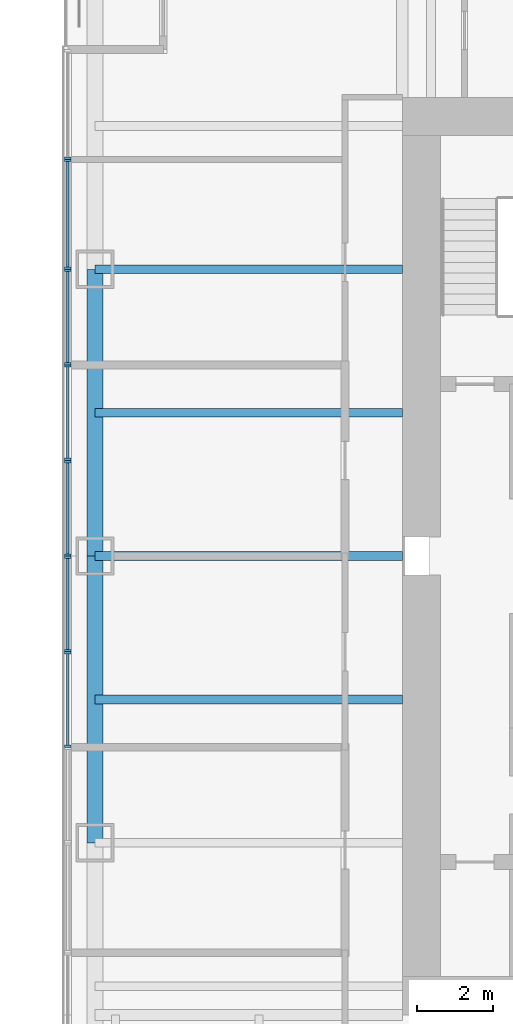
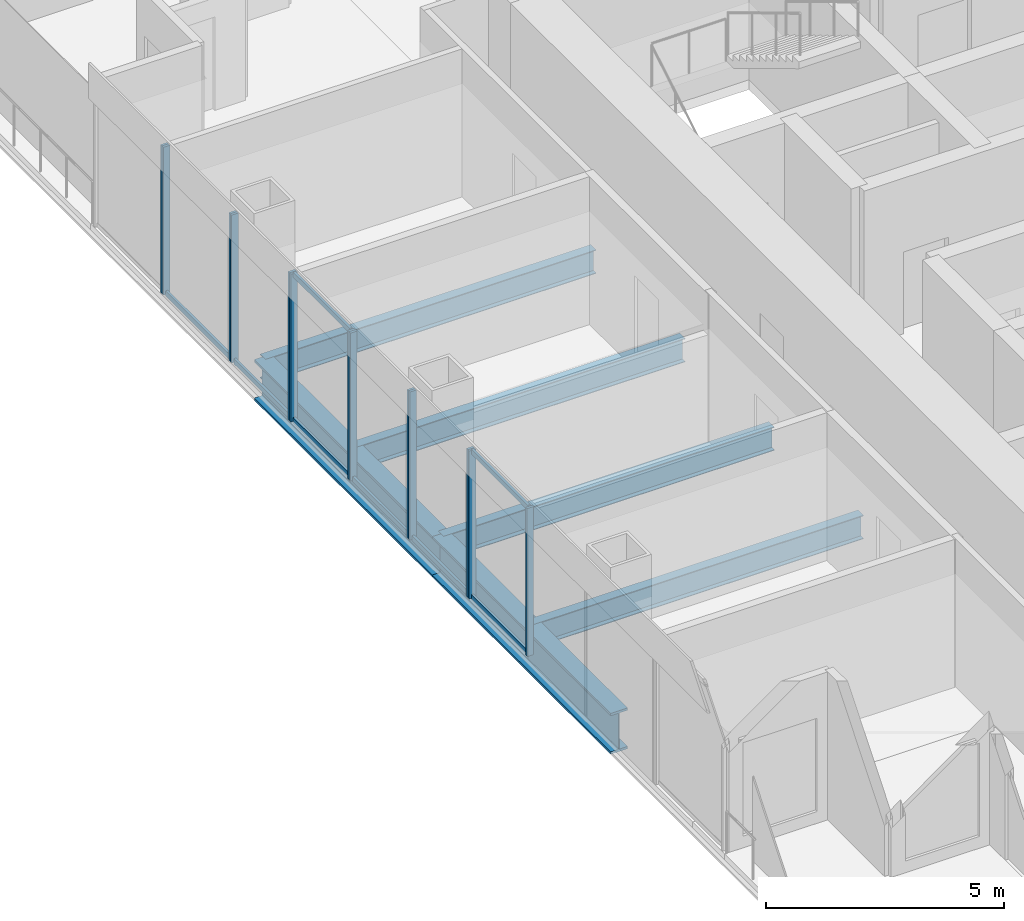
# One storey, part 4 of 15: 21 members, 6 beams, 7 elements without a shape of their own.
"""IFC4 building model written with IfcOpenShell, lengths in metres."""

from ifc_helpers import new_model, si_unit, direction, frame, origin, origin_2d, place, context, subcontext, project, spatial, rectangle, i_section, extrude, material, material_profile, profile_set, type_object, element, aggregate, save


model = new_model("IFC4")

# Units and contexts
model_context = context("Model", 3, precision=1e-05, world=origin(), true_north=direction((0.0, 1.0)))
body_context = subcontext(model_context, "Body", "Model", "MODEL_VIEW")
ifc_project = project(units=[si_unit("LENGTHUNIT", "METRE"), si_unit("AREAUNIT", "SQUARE_METRE"), si_unit("VOLUMEUNIT", "CUBIC_METRE"), si_unit("PLANEANGLEUNIT", "RADIAN"), si_unit("MASSUNIT", "GRAM", prefix="KILO")], contexts=[model_context])

# Site, building, storey
site_placement = place(None, origin())
site = spatial("IfcSite", under=ifc_project, at=site_placement, CompositionType="ELEMENT")
building_placement = place(site_placement, origin())
building = spatial("IfcBuilding", under=site, at=building_placement, Name="Tarangal Relay Tower", CompositionType="ELEMENT")
storey_placement = place(building_placement, frame((0.0, 0.0, 331.89990234375)))
storey = spatial("IfcBuildingStorey", under=building, at=storey_placement, Name="L74", CompositionType="ELEMENT", Elevation=331.89990234375)

# Beams
ifc_material_1 = material(Name="Steel ASTM A992", Category="steel")
ifc_material_profile_1 = material_profile(ifc_material_1, i_section(OverallWidth=0.41162109375, OverallDepth=1.049072265625, WebThickness=0.033935546875, FlangeThickness=0.059814453125, at=origin_2d()), Name="W40X431")
ifc_profile_set_1 = profile_set([ifc_material_profile_1], Name="Steel ASTM A992")
beam_type_1 = type_object("IfcBeamType", Name="Edge girder W40X431", PredefinedType="SPANDREL", material=ifc_profile_set_1)
for number, where, z_axis, x_axis, name in (
    (1, (-20.0400390625, -7.5, -0.67431640625), (0.0, 1.0, 0.0), (-1.0, 0.0, 0.0), "Edge girder EG1 W L74"),
    (2, (-20.0400390625, 0.0, -0.67431640625), (0.0, 1.0, 0.0), (-1.0, 0.0, 0.0), "Edge girder EG1 W L74"),
):
    element("IfcBeam", number, at=place(storey_placement, frame(where, z_axis=z_axis, x_axis=x_axis)), inside=storey, type_object=beam_type_1, Name=name, PredefinedType="SPANDREL", context=body_context, shape_type="SweptSolid", body=[
        extrude(i_section(OverallWidth=0.41162109375, OverallDepth=1.049072265625, WebThickness=0.033935546875, FlangeThickness=0.059814453125, at=origin_2d()), origin(), (0.0, 0.0, 1.0), 7.5),
    ])
ifc_material_profile_2 = material_profile(ifc_material_1, i_section(OverallWidth=0.228271484375, OverallDepth=0.607177734375, WebThickness=0.01123046875, FlangeThickness=0.017333984375, at=origin_2d()), Name="W24X76")
ifc_profile_set_2 = profile_set([ifc_material_profile_2], Name="Steel ASTM A992")
beam_type_2 = type_object("IfcBeamType", Name="Floor beam W24X76", PredefinedType="BEAM", material=ifc_profile_set_2)
for number, where, z_axis, x_axis, name in (
    (3, (-12.0, -3.75, -0.453369140625), (-1.0, 0.0, 0.0), (0.0, -1.0, 0.0), "Floor beam RB5 W L74"),
    (4, (-12.0, 0.0, -0.453369140625), (-1.0, 0.0, 0.0), (0.0, -1.0, 0.0), "Floor beam RB5 W L74"),
    (5, (-12.0, 3.75, -0.453369140625), (-1.0, 0.0, 0.0), (0.0, -1.0, 0.0), "Floor beam RB5 W L74"),
    (6, (-12.0, 7.5, -0.453369140625), (-1.0, 0.0, 0.0), (0.0, -1.0, 0.0), "Floor beam RB5 W L74"),
):
    element("IfcBeam", number, at=place(storey_placement, frame(where, z_axis=z_axis, x_axis=x_axis)), inside=storey, type_object=beam_type_2, Name=name, PredefinedType="BEAM", context=body_context, shape_type="SweptSolid", body=[
        extrude(i_section(OverallWidth=0.228271484375, OverallDepth=0.607177734375, WebThickness=0.01123046875, FlangeThickness=0.017333984375, at=origin_2d()), origin(), (0.0, 0.0, 1.0), 8.0400390625),
    ])

# Curtain wall, members
ifc_material_2 = material(Name="Unitised curtain wall, dark glass and black aluminium", Category="aluminium")
curtain_wall_type_1 = type_object("IfcCurtainWallType", Name="Curtain wall CW-B", PredefinedType="USERDEFINED", material=ifc_material_2)
curtain_wall_1_placement = place(storey_placement, origin())
curtain_wall_1 = element("IfcCurtainWall", 7, at=curtain_wall_1_placement, inside=storey, type_object=curtain_wall_type_1, Name="Curtain wall CW-B W facade L74", ObjectType="UNITISED CURTAIN WALL", PredefinedType="USERDEFINED")
ifc_material_3 = material(Name="Black anodised aluminium mullion", Category="aluminium")
ifc_material_profile_3 = material_profile(ifc_material_3, rectangle(XDim=0.159912109375, YDim=0.06005859375, at=origin_2d()), Name="CW-BM 60X160")
ifc_profile_set_3 = profile_set([ifc_material_profile_3], Name="Black anodised aluminium mullion")
member_type_1 = type_object("IfcMemberType", Name="Mullion CW-B 60 x 160", PredefinedType="MULLION", material=ifc_profile_set_3)
member_1_placement = place(storey_placement, frame((-20.75, -4.969970703125, 0.0), z_axis=(0.0, 0.0, 1.0), x_axis=(-1.0, 0.0, 0.0)))
member_1 = element("IfcMember", 8, at=member_1_placement, type_object=member_type_1, Name="CW-B mullion 1", PredefinedType="MULLION", context=body_context, shape_type="SweptSolid", body=[
    extrude(rectangle(XDim=0.159912109375, YDim=0.06005859375, at=origin_2d()), origin(), (0.0, 0.0, 1.0), 3.800048828125),
])
member_2_placement = place(storey_placement, frame((-20.75, -2.530029296875, 0.0), z_axis=(0.0, 0.0, 1.0), x_axis=(-1.0, 0.0, 0.0)))
member_2 = element("IfcMember", 9, at=member_2_placement, type_object=member_type_1, Name="CW-B mullion 2", PredefinedType="MULLION", context=body_context, shape_type="SweptSolid", body=[
    extrude(rectangle(XDim=0.159912109375, YDim=0.06005859375, at=origin_2d()), origin(), (0.0, 0.0, 1.0), 3.800048828125),
])

curtain_wall_2_placement = place(storey_placement, origin())
curtain_wall_2 = element("IfcCurtainWall", 10, at=curtain_wall_2_placement, inside=storey, type_object=curtain_wall_type_1, Name="Curtain wall CW-B W facade L74", ObjectType="UNITISED CURTAIN WALL", PredefinedType="USERDEFINED")
member_3_placement = place(storey_placement, frame((-20.75, 2.530029296875, 0.0), z_axis=(0.0, 0.0, 1.0), x_axis=(-1.0, 0.0, 0.0)))
member_3 = element("IfcMember", 11, at=member_3_placement, type_object=member_type_1, Name="CW-B mullion 1", PredefinedType="MULLION", context=body_context, shape_type="SweptSolid", body=[
    extrude(rectangle(XDim=0.159912109375, YDim=0.06005859375, at=origin_2d()), origin(), (0.0, 0.0, 1.0), 3.800048828125),
])
member_4_placement = place(storey_placement, frame((-20.75, 4.969970703125, 0.0), z_axis=(0.0, 0.0, 1.0), x_axis=(-1.0, 0.0, 0.0)))
member_4 = element("IfcMember", 12, at=member_4_placement, type_object=member_type_1, Name="CW-B mullion 2", PredefinedType="MULLION", context=body_context, shape_type="SweptSolid", body=[
    extrude(rectangle(XDim=0.159912109375, YDim=0.06005859375, at=origin_2d()), origin(), (0.0, 0.0, 1.0), 3.800048828125),
])

# Curtain wall, member
curtain_wall_3_placement = place(storey_placement, origin())
curtain_wall_3 = element("IfcCurtainWall", 13, at=curtain_wall_3_placement, inside=storey, type_object=curtain_wall_type_1, Name="Curtain wall CW-B W facade L74", ObjectType="UNITISED CURTAIN WALL", PredefinedType="USERDEFINED")
member_5_placement = place(storey_placement, frame((-20.75, 10.405029296875, 0.0), z_axis=(0.0, 0.0, 1.0), x_axis=(-1.0, 0.0, 0.0)))
member_5 = element("IfcMember", 14, at=member_5_placement, type_object=member_type_1, Name="CW-B mullion 1", PredefinedType="MULLION", context=body_context, shape_type="SweptSolid", body=[
    extrude(rectangle(XDim=0.159912109375, YDim=0.06005859375, at=origin_2d()), origin(), (0.0, 0.0, 1.0), 3.800048828125),
])
aggregate(curtain_wall_3, [member_5])

# Curtain wall, members
ifc_material_4 = material(Name="Unitised curtain wall frame, black aluminium, with metal clad infill walls", Category="aluminium")
curtain_wall_type_2 = type_object("IfcCurtainWallType", Name="Curtain wall CW-BO", PredefinedType="USERDEFINED", material=ifc_material_4)
curtain_wall_4_placement = place(storey_placement, origin())
curtain_wall_4 = element("IfcCurtainWall", 15, at=curtain_wall_4_placement, inside=storey, type_object=curtain_wall_type_2, Name="Curtain wall CW-BO W facade L74", ObjectType="UNITISED CURTAIN WALL", PredefinedType="USERDEFINED")
ifc_material_profile_4 = material_profile(ifc_material_3, rectangle(XDim=0.159912109375, YDim=0.06005859375, at=origin_2d()), Name="CW-BOM 60X160")
ifc_profile_set_4 = profile_set([ifc_material_profile_4], Name="Black anodised aluminium mullion")
member_type_2 = type_object("IfcMemberType", Name="Mullion CW-BO 60 x 160", PredefinedType="MULLION", material=ifc_profile_set_4)
member_6_placement = place(storey_placement, frame((-20.75, -2.469970703125, 0.0), z_axis=(0.0, 0.0, 1.0), x_axis=(-1.0, 0.0, 0.0)))
member_6 = element("IfcMember", 16, at=member_6_placement, type_object=member_type_2, Name="CW-BO mullion 1", PredefinedType="MULLION", context=body_context, shape_type="SweptSolid", body=[
    extrude(rectangle(XDim=0.159912109375, YDim=0.06005859375, at=origin_2d()), origin(), (0.0, 0.0, 1.0), 3.800048828125),
])
member_7_placement = place(storey_placement, frame((-20.75, -0.030029296875, 0.0), z_axis=(0.0, 0.0, 1.0), x_axis=(-1.0, 0.0, 0.0)))
member_7 = element("IfcMember", 17, at=member_7_placement, type_object=member_type_2, Name="CW-BO mullion 2", PredefinedType="MULLION", context=body_context, shape_type="SweptSolid", body=[
    extrude(rectangle(XDim=0.159912109375, YDim=0.06005859375, at=origin_2d()), origin(), (0.0, 0.0, 1.0), 3.800048828125),
])

curtain_wall_5_placement = place(storey_placement, origin())
curtain_wall_5 = element("IfcCurtainWall", 18, at=curtain_wall_5_placement, inside=storey, type_object=curtain_wall_type_2, Name="Curtain wall CW-BO W facade L74", ObjectType="UNITISED CURTAIN WALL", PredefinedType="USERDEFINED")
member_8_placement = place(storey_placement, frame((-20.75, 0.030029296875, 0.0), z_axis=(0.0, 0.0, 1.0), x_axis=(-1.0, 0.0, 0.0)))
member_8 = element("IfcMember", 19, at=member_8_placement, type_object=member_type_2, Name="CW-BO mullion 1", PredefinedType="MULLION", context=body_context, shape_type="SweptSolid", body=[
    extrude(rectangle(XDim=0.159912109375, YDim=0.06005859375, at=origin_2d()), origin(), (0.0, 0.0, 1.0), 3.800048828125),
])
member_9_placement = place(storey_placement, frame((-20.75, 2.469970703125, 0.0), z_axis=(0.0, 0.0, 1.0), x_axis=(-1.0, 0.0, 0.0)))
member_9 = element("IfcMember", 20, at=member_9_placement, type_object=member_type_2, Name="CW-BO mullion 2", PredefinedType="MULLION", context=body_context, shape_type="SweptSolid", body=[
    extrude(rectangle(XDim=0.159912109375, YDim=0.06005859375, at=origin_2d()), origin(), (0.0, 0.0, 1.0), 3.800048828125),
])

curtain_wall_6_placement = place(storey_placement, origin())
curtain_wall_6 = element("IfcCurtainWall", 21, at=curtain_wall_6_placement, inside=storey, type_object=curtain_wall_type_2, Name="Curtain wall CW-BO W facade L74", ObjectType="UNITISED CURTAIN WALL", PredefinedType="USERDEFINED")
member_10_placement = place(storey_placement, frame((-20.75, 5.030029296875, 0.0), z_axis=(0.0, 0.0, 1.0), x_axis=(-1.0, 0.0, 0.0)))
member_10 = element("IfcMember", 22, at=member_10_placement, type_object=member_type_2, Name="CW-BO mullion 1", PredefinedType="MULLION", context=body_context, shape_type="SweptSolid", body=[
    extrude(rectangle(XDim=0.159912109375, YDim=0.06005859375, at=origin_2d()), origin(), (0.0, 0.0, 1.0), 3.800048828125),
])
member_11_placement = place(storey_placement, frame((-20.75, 7.469970703125, 0.0), z_axis=(0.0, 0.0, 1.0), x_axis=(-1.0, 0.0, 0.0)))
member_11 = element("IfcMember", 23, at=member_11_placement, type_object=member_type_2, Name="CW-BO mullion 2", PredefinedType="MULLION", context=body_context, shape_type="SweptSolid", body=[
    extrude(rectangle(XDim=0.159912109375, YDim=0.06005859375, at=origin_2d()), origin(), (0.0, 0.0, 1.0), 3.800048828125),
])

curtain_wall_7_placement = place(storey_placement, origin())
curtain_wall_7 = element("IfcCurtainWall", 24, at=curtain_wall_7_placement, inside=storey, type_object=curtain_wall_type_2, Name="Curtain wall CW-BO W facade L74", ObjectType="UNITISED CURTAIN WALL", PredefinedType="USERDEFINED")
member_12_placement = place(storey_placement, frame((-20.75, 7.530029296875, 0.0), z_axis=(0.0, 0.0, 1.0), x_axis=(-1.0, 0.0, 0.0)))
member_12 = element("IfcMember", 25, at=member_12_placement, type_object=member_type_2, Name="CW-BO mullion 1", PredefinedType="MULLION", context=body_context, shape_type="SweptSolid", body=[
    extrude(rectangle(XDim=0.159912109375, YDim=0.06005859375, at=origin_2d()), origin(), (0.0, 0.0, 1.0), 3.800048828125),
])
member_13_placement = place(storey_placement, frame((-20.75, 10.344970703125, 0.0), z_axis=(0.0, 0.0, 1.0), x_axis=(-1.0, 0.0, 0.0)))
member_13 = element("IfcMember", 26, at=member_13_placement, type_object=member_type_2, Name="CW-BO mullion 2", PredefinedType="MULLION", context=body_context, shape_type="SweptSolid", body=[
    extrude(rectangle(XDim=0.159912109375, YDim=0.06005859375, at=origin_2d()), origin(), (0.0, 0.0, 1.0), 3.800048828125),
])

# Member
ifc_material_5 = material(Name="Black anodised aluminium transom", Category="aluminium")
ifc_material_profile_5 = material_profile(ifc_material_5, rectangle(XDim=0.06005859375, YDim=0.1298828125, at=origin_2d()), Name="CW-BT 60X130")
ifc_profile_set_5 = profile_set([ifc_material_profile_5], Name="Black anodised aluminium transom")
member_type_3 = type_object("IfcMemberType", Name="Transom CW-B 60 x 130", PredefinedType="USERDEFINED", material=ifc_profile_set_5)
member_14_placement = place(storey_placement, frame((-20.75, -4.93994140625, 0.030029296875), z_axis=(0.0, 1.0, 0.0), x_axis=(-1.0, 0.0, 0.0)))
member_14 = element("IfcMember", 27, at=member_14_placement, type_object=member_type_3, Name="CW-B transom 1.1", ObjectType="TRANSOM", PredefinedType="USERDEFINED", context=body_context, shape_type="SweptSolid", body=[
    extrude(rectangle(XDim=0.06005859375, YDim=0.1298828125, at=origin_2d()), origin(), (0.0, 0.0, 1.0), 2.3798828125),
])

member_15_placement = place(storey_placement, frame((-20.75, -4.93994140625, 3.77001953125), z_axis=(0.0, 1.0, 0.0), x_axis=(-1.0, 0.0, 0.0)))
member_15 = element("IfcMember", 28, at=member_15_placement, type_object=member_type_3, Name="CW-B transom 1.2", ObjectType="TRANSOM", PredefinedType="USERDEFINED", context=body_context, shape_type="SweptSolid", body=[
    extrude(rectangle(XDim=0.06005859375, YDim=0.1298828125, at=origin_2d()), origin(), (0.0, 0.0, 1.0), 2.3798828125),
])

aggregate(curtain_wall_1, [member_1, member_2, member_14, member_15])

member_16_placement = place(storey_placement, frame((-20.75, 2.56005859375, 0.030029296875), z_axis=(0.0, 1.0, 0.0), x_axis=(-1.0, 0.0, 0.0)))
member_16 = element("IfcMember", 29, at=member_16_placement, type_object=member_type_3, Name="CW-B transom 1.1", ObjectType="TRANSOM", PredefinedType="USERDEFINED", context=body_context, shape_type="SweptSolid", body=[
    extrude(rectangle(XDim=0.06005859375, YDim=0.1298828125, at=origin_2d()), origin(), (0.0, 0.0, 1.0), 2.3798828125),
])

member_17_placement = place(storey_placement, frame((-20.75, 2.56005859375, 3.77001953125), z_axis=(0.0, 1.0, 0.0), x_axis=(-1.0, 0.0, 0.0)))
member_17 = element("IfcMember", 30, at=member_17_placement, type_object=member_type_3, Name="CW-B transom 1.2", ObjectType="TRANSOM", PredefinedType="USERDEFINED", context=body_context, shape_type="SweptSolid", body=[
    extrude(rectangle(XDim=0.06005859375, YDim=0.1298828125, at=origin_2d()), origin(), (0.0, 0.0, 1.0), 2.3798828125),
])

aggregate(curtain_wall_2, [member_3, member_4, member_16, member_17])

ifc_material_profile_6 = material_profile(ifc_material_5, rectangle(XDim=0.06005859375, YDim=0.1298828125, at=origin_2d()), Name="CW-BOT 60X130")
ifc_profile_set_6 = profile_set([ifc_material_profile_6], Name="Black anodised aluminium transom")
member_type_4 = type_object("IfcMemberType", Name="Transom CW-BO 60 x 130", PredefinedType="USERDEFINED", material=ifc_profile_set_6)
member_18_placement = place(storey_placement, frame((-20.75, -2.43994140625, 0.030029296875), z_axis=(0.0, 1.0, 0.0), x_axis=(-1.0, 0.0, 0.0)))
member_18 = element("IfcMember", 31, at=member_18_placement, type_object=member_type_4, Name="CW-BO transom 1.1", ObjectType="TRANSOM", PredefinedType="USERDEFINED", context=body_context, shape_type="SweptSolid", body=[
    extrude(rectangle(XDim=0.06005859375, YDim=0.1298828125, at=origin_2d()), origin(), (0.0, 0.0, 1.0), 2.3798828125),
])

aggregate(curtain_wall_4, [member_6, member_7, member_18])

member_19_placement = place(storey_placement, frame((-20.75, 0.06005859375, 0.030029296875), z_axis=(0.0, 1.0, 0.0), x_axis=(-1.0, 0.0, 0.0)))
member_19 = element("IfcMember", 32, at=member_19_placement, type_object=member_type_4, Name="CW-BO transom 1.1", ObjectType="TRANSOM", PredefinedType="USERDEFINED", context=body_context, shape_type="SweptSolid", body=[
    extrude(rectangle(XDim=0.06005859375, YDim=0.1298828125, at=origin_2d()), origin(), (0.0, 0.0, 1.0), 2.3798828125),
])

aggregate(curtain_wall_5, [member_8, member_9, member_19])

member_20_placement = place(storey_placement, frame((-20.75, 5.06005859375, 0.030029296875), z_axis=(0.0, 1.0, 0.0), x_axis=(-1.0, 0.0, 0.0)))
member_20 = element("IfcMember", 33, at=member_20_placement, type_object=member_type_4, Name="CW-BO transom 1.1", ObjectType="TRANSOM", PredefinedType="USERDEFINED", context=body_context, shape_type="SweptSolid", body=[
    extrude(rectangle(XDim=0.06005859375, YDim=0.1298828125, at=origin_2d()), origin(), (0.0, 0.0, 1.0), 2.3798828125),
])

aggregate(curtain_wall_6, [member_10, member_11, member_20])

member_21_placement = place(storey_placement, frame((-20.75, 7.56005859375, 0.030029296875), z_axis=(0.0, 1.0, 0.0), x_axis=(-1.0, 0.0, 0.0)))
member_21 = element("IfcMember", 34, at=member_21_placement, type_object=member_type_4, Name="CW-BO transom 1.1", ObjectType="TRANSOM", PredefinedType="USERDEFINED", context=body_context, shape_type="SweptSolid", body=[
    extrude(rectangle(XDim=0.06005859375, YDim=0.1298828125, at=origin_2d()), origin(), (0.0, 0.0, 1.0), 2.7548828125),
])

aggregate(curtain_wall_7, [member_12, member_13, member_21])

save(model, "model.ifc")
